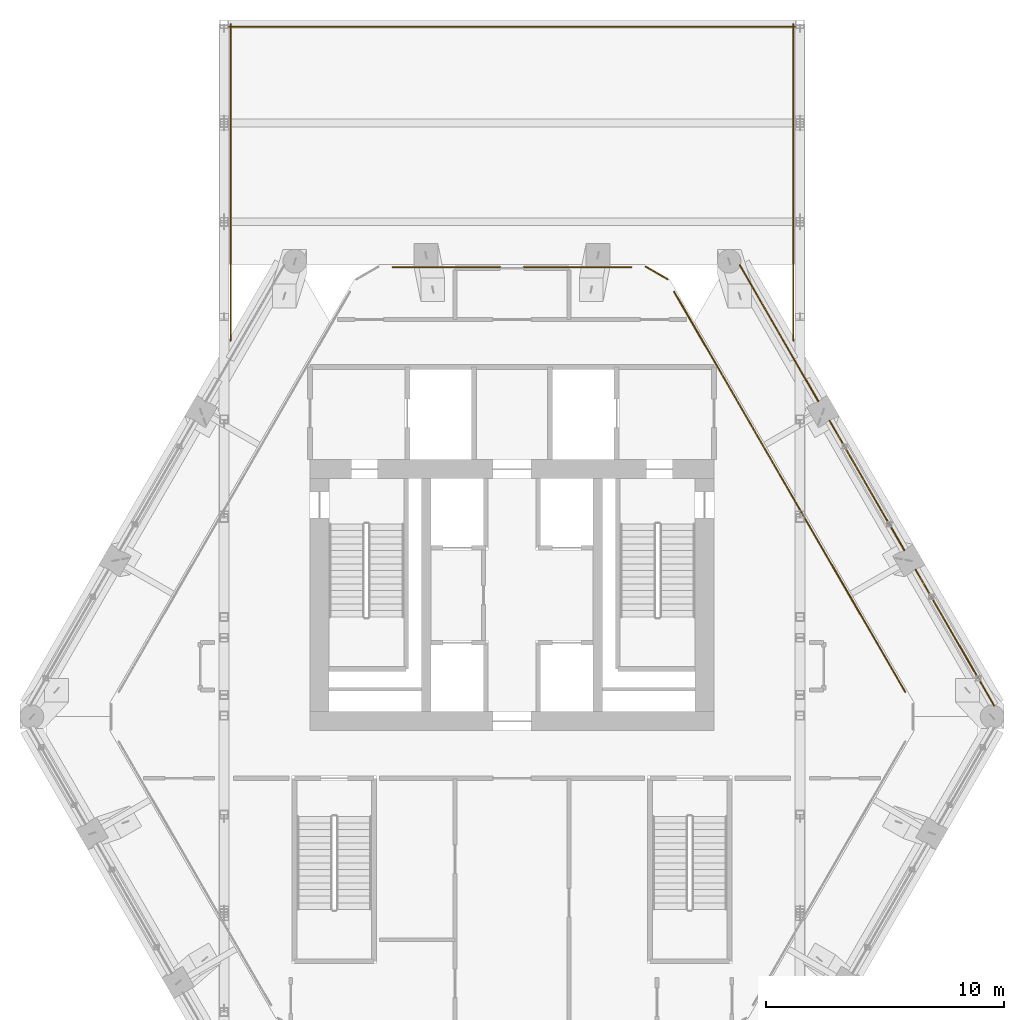
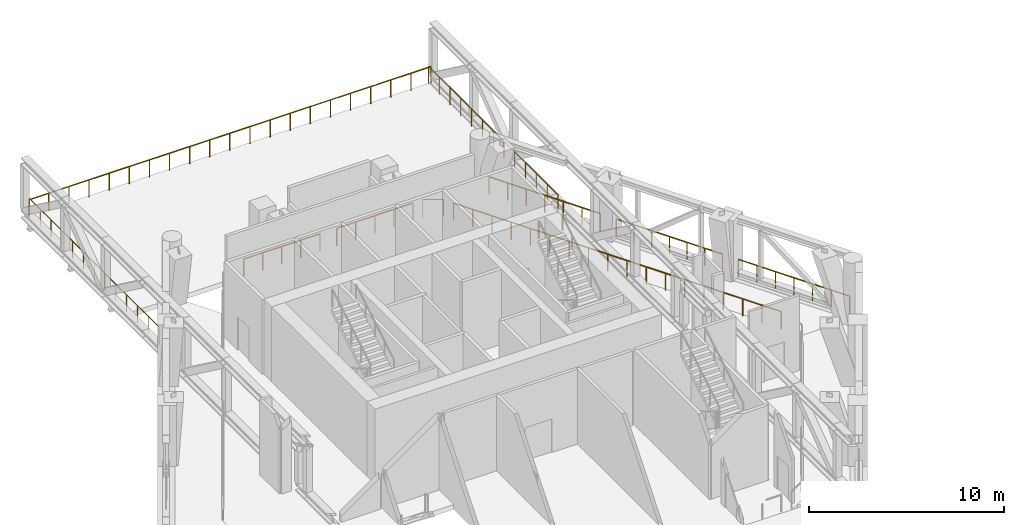
# One storey, part 22 of 22: 10 railings.
"""IFC4 building model written with IfcOpenShell, lengths in metres."""

from ifc_helpers import new_model, si_unit, direction, frame, origin, origin_2d, place, context, subcontext, project, spatial, circle, extrude, material, type_object, element, save


model = new_model("IFC4")

# Units and contexts
model_context = context("Model", 3, precision=1e-05, world=origin(), true_north=direction((0.0, 1.0)))
body_context = subcontext(model_context, "Body", "Model", "MODEL_VIEW")
ifc_project = project(units=[si_unit("LENGTHUNIT", "METRE"), si_unit("AREAUNIT", "SQUARE_METRE"), si_unit("VOLUMEUNIT", "CUBIC_METRE"), si_unit("PLANEANGLEUNIT", "RADIAN"), si_unit("MASSUNIT", "GRAM", prefix="KILO")], contexts=[model_context])

# Site, building, storey
site_placement = place(None, origin())
site = spatial("IfcSite", under=ifc_project, at=site_placement, CompositionType="ELEMENT")
building_placement = place(site_placement, origin())
building = spatial("IfcBuilding", under=site, at=building_placement, Name="Ostrander Bayou Hotel Tower", CompositionType="ELEMENT")
storey_placement = place(building_placement, frame((0.0, 0.0, 209.5)))
storey = spatial("IfcBuildingStorey", under=building, at=storey_placement, Name="L52", CompositionType="ELEMENT", Elevation=209.5)

# Railings
ifc_material = material(Name="Stainless steel and clear glass", Category="steel")
railing_type = type_object("IfcRailingType", Name="GR1 guard 1100 mm", PredefinedType="GUARDRAIL", material=ifc_material)
railing_1_placement = place(storey_placement, frame((20.275146484375, -0.64306640625, 0.0)))
element("IfcRailing", 1, at=railing_1_placement, inside=storey, type_object=railing_type, Name="GR1 L52 NE-1 open band guard", PredefinedType="GUARDRAIL", context=body_context, shape_type="SweptSolid", body=[
    extrude(circle(Radius=0.02490234375, at=origin_2d()), frame((0.0, 0.0, 1.0751953125), z_axis=(-0.500010360262, 0.866019422202, 0.0), x_axis=(-0.866019422202, -0.500010360262, 0.0)), (0.0, 0.0, 1.0), 6.606201171875),
    extrude(circle(Radius=0.02001953125, at=origin_2d()), origin(), (0.0, 0.0, 1.0), 1.050048828125),
    extrude(circle(Radius=0.02001953125, at=origin_2d()), frame((-0.550537109375, 0.95361328125, 0.0)), (0.0, 0.0, 1.0), 1.050048828125),
    extrude(circle(Radius=0.02001953125, at=origin_2d()), frame((-1.10107421875, 1.906982421875, 0.0)), (0.0, 0.0, 1.0), 1.050048828125),
    extrude(circle(Radius=0.02001953125, at=origin_2d()), frame((-1.651611328125, 2.860595703125, 0.0)), (0.0, 0.0, 1.0), 1.050048828125),
    extrude(circle(Radius=0.02001953125, at=origin_2d()), frame((-2.2021484375, 3.814208984375, 0.0)), (0.0, 0.0, 1.0), 1.050048828125),
    extrude(circle(Radius=0.02001953125, at=origin_2d()), frame((-2.752685546875, 4.767578125, 0.0)), (0.0, 0.0, 1.0), 1.050048828125),
    extrude(circle(Radius=0.02001953125, at=origin_2d()), frame((-3.30322265625, 5.72119140625, 0.0)), (0.0, 0.0, 1.0), 1.050048828125),
])
railing_2_placement = place(storey_placement, frame((16.501953125, 5.892333984375, 0.0)))
element("IfcRailing", 2, at=railing_2_placement, inside=storey, type_object=railing_type, Name="GR1 L52 NE-2 open band guard", PredefinedType="GUARDRAIL", context=body_context, shape_type="SweptSolid", body=[
    extrude(circle(Radius=0.02490234375, at=origin_2d()), frame((0.0, 0.0, 1.0751953125), z_axis=(-0.500013351051, 0.866017695414, 0.0), x_axis=(-0.866017695414, -0.500013351051, 0.0)), (0.0, 0.0, 1.0), 6.296142578125),
    extrude(circle(Radius=0.02001953125, at=origin_2d()), origin(), (0.0, 0.0, 1.0), 1.050048828125),
    extrude(circle(Radius=0.02001953125, at=origin_2d()), frame((-0.524658203125, 0.90869140625, 0.0)), (0.0, 0.0, 1.0), 1.050048828125),
    extrude(circle(Radius=0.02001953125, at=origin_2d()), frame((-1.04931640625, 1.817626953125, 0.0)), (0.0, 0.0, 1.0), 1.050048828125),
    extrude(circle(Radius=0.02001953125, at=origin_2d()), frame((-1.57421875, 2.726318359375, 0.0)), (0.0, 0.0, 1.0), 1.050048828125),
    extrude(circle(Radius=0.02001953125, at=origin_2d()), frame((-2.098876953125, 3.635009765625, 0.0)), (0.0, 0.0, 1.0), 1.050048828125),
    extrude(circle(Radius=0.02001953125, at=origin_2d()), frame((-2.62353515625, 4.5439453125, 0.0)), (0.0, 0.0, 1.0), 1.050048828125),
    extrude(circle(Radius=0.02001953125, at=origin_2d()), frame((-3.148193359375, 5.45263671875, 0.0)), (0.0, 0.0, 1.0), 1.050048828125),
])
railing_3_placement = place(storey_placement, frame((12.8837890625, 12.158935546875, 0.0)))
element("IfcRailing", 3, at=railing_3_placement, inside=storey, type_object=railing_type, Name="GR1 L52 NE-3 open band guard", PredefinedType="GUARDRAIL", context=body_context, shape_type="SweptSolid", body=[
    extrude(circle(Radius=0.02490234375, at=origin_2d()), frame((0.0, 0.0, 1.0751953125), z_axis=(-0.499994358189, 0.866028661061, 0.0), x_axis=(-0.866028661061, -0.499994358189, 0.0)), (0.0, 0.0, 1.0), 6.6064453125),
    extrude(circle(Radius=0.02001953125, at=origin_2d()), origin(), (0.0, 0.0, 1.0), 1.050048828125),
    extrude(circle(Radius=0.02001953125, at=origin_2d()), frame((-0.550537109375, 0.95361328125, 0.0)), (0.0, 0.0, 1.0), 1.050048828125),
    extrude(circle(Radius=0.02001953125, at=origin_2d()), frame((-1.10107421875, 1.9072265625, 0.0)), (0.0, 0.0, 1.0), 1.050048828125),
    extrude(circle(Radius=0.02001953125, at=origin_2d()), frame((-1.651611328125, 2.86083984375, 0.0)), (0.0, 0.0, 1.0), 1.050048828125),
    extrude(circle(Radius=0.02001953125, at=origin_2d()), frame((-2.2021484375, 3.814208984375, 0.0)), (0.0, 0.0, 1.0), 1.050048828125),
    extrude(circle(Radius=0.02001953125, at=origin_2d()), frame((-2.752685546875, 4.767822265625, 0.0)), (0.0, 0.0, 1.0), 1.050048828125),
    extrude(circle(Radius=0.02001953125, at=origin_2d()), frame((-3.30322265625, 5.721435546875, 0.0)), (0.0, 0.0, 1.0), 1.050048828125),
])
railing_4_placement = place(storey_placement, frame((6.54248046875, 17.29248046875, 0.0)))
element("IfcRailing", 4, at=railing_4_placement, inside=storey, type_object=railing_type, Name="GR1 L52 corner guard 6", PredefinedType="GUARDRAIL", context=body_context, shape_type="SweptSolid", body=[
    extrude(circle(Radius=0.02490234375, at=origin_2d()), frame((0.0, 0.0, 1.0751953125), z_axis=(-0.866048165231, 0.499960573946, 0.0), x_axis=(-0.499960573946, -0.866048165231, 0.0)), (0.0, 0.0, 1.0), 1.06494140625),
    extrude(circle(Radius=0.02001953125, at=origin_2d()), origin(), (0.0, 0.0, 1.0), 1.050048828125),
    extrude(circle(Radius=0.02001953125, at=origin_2d()), frame((-0.92236328125, 0.532470703125, 0.0)), (0.0, 0.0, 1.0), 1.050048828125),
])
railing_5_placement = place(storey_placement, frame((6.8203125, 16.76123046875, 0.0)))
element("IfcRailing", 5, at=railing_5_placement, inside=storey, type_object=railing_type, Name="GR1 L52 edge guard 2", PredefinedType="GUARDRAIL", context=body_context, shape_type="SweptSolid", body=[
    extrude(circle(Radius=0.02490234375, at=origin_2d()), frame((0.0, 0.0, 1.0751953125), z_axis=(0.500000754816, -0.866024967991, 0.0), x_axis=(0.866024967991, 0.500000754816, 0.0)), (0.0, 0.0, 1.0), 19.43994140625),
    extrude(circle(Radius=0.02001953125, at=origin_2d()), origin(), (0.0, 0.0, 1.0), 1.050048828125),
    extrude(circle(Radius=0.02001953125, at=origin_2d()), frame((0.57177734375, -0.990234375, 0.0)), (0.0, 0.0, 1.0), 1.050048828125),
    extrude(circle(Radius=0.02001953125, at=origin_2d()), frame((1.1435546875, -1.980712890625, 0.0)), (0.0, 0.0, 1.0), 1.050048828125),
    extrude(circle(Radius=0.02001953125, at=origin_2d()), frame((1.71533203125, -2.970947265625, 0.0)), (0.0, 0.0, 1.0), 1.050048828125),
    extrude(circle(Radius=0.02001953125, at=origin_2d()), frame((2.287109375, -3.961181640625, 0.0)), (0.0, 0.0, 1.0), 1.050048828125),
    extrude(circle(Radius=0.02001953125, at=origin_2d()), frame((2.85888671875, -4.95166015625, 0.0)), (0.0, 0.0, 1.0), 1.050048828125),
    extrude(circle(Radius=0.02001953125, at=origin_2d()), frame((3.4306640625, -5.94189453125, 0.0)), (0.0, 0.0, 1.0), 1.050048828125),
    extrude(circle(Radius=0.02001953125, at=origin_2d()), frame((4.00244140625, -6.93212890625, 0.0)), (0.0, 0.0, 1.0), 1.050048828125),
    extrude(circle(Radius=0.02001953125, at=origin_2d()), frame((4.57421875, -7.922607421875, 0.0)), (0.0, 0.0, 1.0), 1.050048828125),
    extrude(circle(Radius=0.02001953125, at=origin_2d()), frame((5.145751953125, -8.912841796875, 0.0)), (0.0, 0.0, 1.0), 1.050048828125),
    extrude(circle(Radius=0.02001953125, at=origin_2d()), frame((5.717529296875, -9.9033203125, 0.0)), (0.0, 0.0, 1.0), 1.050048828125),
    extrude(circle(Radius=0.02001953125, at=origin_2d()), frame((6.289306640625, -10.8935546875, 0.0)), (0.0, 0.0, 1.0), 1.050048828125),
    extrude(circle(Radius=0.02001953125, at=origin_2d()), frame((6.861083984375, -11.8837890625, 0.0)), (0.0, 0.0, 1.0), 1.050048828125),
    extrude(circle(Radius=0.02001953125, at=origin_2d()), frame((7.432861328125, -12.874267578125, 0.0)), (0.0, 0.0, 1.0), 1.050048828125),
    extrude(circle(Radius=0.02001953125, at=origin_2d()), frame((8.004638671875, -13.864501953125, 0.0)), (0.0, 0.0, 1.0), 1.050048828125),
    extrude(circle(Radius=0.02001953125, at=origin_2d()), frame((8.576416015625, -14.854736328125, 0.0)), (0.0, 0.0, 1.0), 1.050048828125),
    extrude(circle(Radius=0.02001953125, at=origin_2d()), frame((9.148193359375, -15.84521484375, 0.0)), (0.0, 0.0, 1.0), 1.050048828125),
    extrude(circle(Radius=0.02001953125, at=origin_2d()), frame((9.719970703125, -16.83544921875, 0.0)), (0.0, 0.0, 1.0), 1.050048828125),
])
railing_6_placement = place(storey_placement, frame((-11.832275390625, 28.01611328125, 0.0)))
element("IfcRailing", 6, at=railing_6_placement, inside=storey, type_object=railing_type, Name="GR1 bar roof guard SB4 4", PredefinedType="GUARDRAIL", context=body_context, shape_type="SweptSolid", body=[
    extrude(circle(Radius=0.02490234375, at=origin_2d()), frame((0.0, 0.0, 1.0751953125), z_axis=(0.0, -1.0, 0.0), x_axis=(1.0, 0.0, 0.0)), (0.0, 0.0, 1.0), 13.308837890625),
    extrude(circle(Radius=0.02001953125, at=origin_2d()), origin(), (0.0, 0.0, 1.0), 1.050048828125),
    extrude(circle(Radius=0.02001953125, at=origin_2d()), frame((0.0, -1.109130859375, 0.0)), (0.0, 0.0, 1.0), 1.050048828125),
    extrude(circle(Radius=0.02001953125, at=origin_2d()), frame((0.0, -2.21826171875, 0.0)), (0.0, 0.0, 1.0), 1.050048828125),
    extrude(circle(Radius=0.02001953125, at=origin_2d()), frame((0.0, -3.3271484375, 0.0)), (0.0, 0.0, 1.0), 1.050048828125),
    extrude(circle(Radius=0.02001953125, at=origin_2d()), frame((0.0, -4.436279296875, 0.0)), (0.0, 0.0, 1.0), 1.050048828125),
    extrude(circle(Radius=0.02001953125, at=origin_2d()), frame((0.0, -5.54541015625, 0.0)), (0.0, 0.0, 1.0), 1.050048828125),
    extrude(circle(Radius=0.02001953125, at=origin_2d()), frame((0.0, -6.654296875, 0.0)), (0.0, 0.0, 1.0), 1.050048828125),
    extrude(circle(Radius=0.02001953125, at=origin_2d()), frame((0.0, -7.763427734375, 0.0)), (0.0, 0.0, 1.0), 1.050048828125),
    extrude(circle(Radius=0.02001953125, at=origin_2d()), frame((0.0, -8.87255859375, 0.0)), (0.0, 0.0, 1.0), 1.050048828125),
    extrude(circle(Radius=0.02001953125, at=origin_2d()), frame((0.0, -9.981689453125, 0.0)), (0.0, 0.0, 1.0), 1.050048828125),
    extrude(circle(Radius=0.02001953125, at=origin_2d()), frame((0.0, -11.0908203125, 0.0)), (0.0, 0.0, 1.0), 1.050048828125),
    extrude(circle(Radius=0.02001953125, at=origin_2d()), frame((0.0, -12.19970703125, 0.0)), (0.0, 0.0, 1.0), 1.050048828125),
    extrude(circle(Radius=0.02001953125, at=origin_2d()), frame((0.0, -13.308837890625, 0.0)), (0.0, 0.0, 1.0), 1.050048828125),
])
railing_7_placement = place(storey_placement, frame((11.832275390625, 14.707275390625, 0.0)))
element("IfcRailing", 7, at=railing_7_placement, inside=storey, type_object=railing_type, Name="GR1 bar roof guard SB4 5", PredefinedType="GUARDRAIL", context=body_context, shape_type="SweptSolid", body=[
    extrude(circle(Radius=0.02490234375, at=origin_2d()), frame((0.0, 0.0, 1.0751953125), z_axis=(0.0, 1.0, 0.0), x_axis=(-1.0, 0.0, 0.0)), (0.0, 0.0, 1.0), 13.308837890625),
    extrude(circle(Radius=0.02001953125, at=origin_2d()), origin(), (0.0, 0.0, 1.0), 1.050048828125),
    extrude(circle(Radius=0.02001953125, at=origin_2d()), frame((0.0, 1.109130859375, 0.0)), (0.0, 0.0, 1.0), 1.050048828125),
    extrude(circle(Radius=0.02001953125, at=origin_2d()), frame((0.0, 2.21826171875, 0.0)), (0.0, 0.0, 1.0), 1.050048828125),
    extrude(circle(Radius=0.02001953125, at=origin_2d()), frame((0.0, 3.3271484375, 0.0)), (0.0, 0.0, 1.0), 1.050048828125),
    extrude(circle(Radius=0.02001953125, at=origin_2d()), frame((0.0, 4.436279296875, 0.0)), (0.0, 0.0, 1.0), 1.050048828125),
    extrude(circle(Radius=0.02001953125, at=origin_2d()), frame((0.0, 5.54541015625, 0.0)), (0.0, 0.0, 1.0), 1.050048828125),
    extrude(circle(Radius=0.02001953125, at=origin_2d()), frame((0.0, 6.654296875, 0.0)), (0.0, 0.0, 1.0), 1.050048828125),
    extrude(circle(Radius=0.02001953125, at=origin_2d()), frame((0.0, 7.763427734375, 0.0)), (0.0, 0.0, 1.0), 1.050048828125),
    extrude(circle(Radius=0.02001953125, at=origin_2d()), frame((0.0, 8.87255859375, 0.0)), (0.0, 0.0, 1.0), 1.050048828125),
    extrude(circle(Radius=0.02001953125, at=origin_2d()), frame((0.0, 9.981689453125, 0.0)), (0.0, 0.0, 1.0), 1.050048828125),
    extrude(circle(Radius=0.02001953125, at=origin_2d()), frame((0.0, 11.0908203125, 0.0)), (0.0, 0.0, 1.0), 1.050048828125),
    extrude(circle(Radius=0.02001953125, at=origin_2d()), frame((0.0, 12.19970703125, 0.0)), (0.0, 0.0, 1.0), 1.050048828125),
    extrude(circle(Radius=0.02001953125, at=origin_2d()), frame((0.0, 13.308837890625, 0.0)), (0.0, 0.0, 1.0), 1.050048828125),
])
railing_8_placement = place(storey_placement, frame((11.93212890625, 27.916015625, 0.0)))
element("IfcRailing", 8, at=railing_8_placement, inside=storey, type_object=railing_type, Name="GR1 bar roof guard SB4 6", PredefinedType="GUARDRAIL", context=body_context, shape_type="SweptSolid", body=[
    extrude(circle(Radius=0.02490234375, at=origin_2d()), frame((0.0, 0.0, 1.0751953125), z_axis=(-1.0, 0.0, 0.0), x_axis=(0.0, -1.0, 0.0)), (0.0, 0.0, 1.0), 23.8642578125),
    extrude(circle(Radius=0.02001953125, at=origin_2d()), origin(), (0.0, 0.0, 1.0), 1.050048828125),
    extrude(circle(Radius=0.02001953125, at=origin_2d()), frame((-1.193115234375, 0.0, 0.0)), (0.0, 0.0, 1.0), 1.050048828125),
    extrude(circle(Radius=0.02001953125, at=origin_2d()), frame((-2.386474609375, 0.0, 0.0)), (0.0, 0.0, 1.0), 1.050048828125),
    extrude(circle(Radius=0.02001953125, at=origin_2d()), frame((-3.57958984375, 0.0, 0.0)), (0.0, 0.0, 1.0), 1.050048828125),
    extrude(circle(Radius=0.02001953125, at=origin_2d()), frame((-4.77294921875, 0.0, 0.0)), (0.0, 0.0, 1.0), 1.050048828125),
    extrude(circle(Radius=0.02001953125, at=origin_2d()), frame((-5.966064453125, 0.0, 0.0)), (0.0, 0.0, 1.0), 1.050048828125),
    extrude(circle(Radius=0.02001953125, at=origin_2d()), frame((-7.1591796875, 0.0, 0.0)), (0.0, 0.0, 1.0), 1.050048828125),
    extrude(circle(Radius=0.02001953125, at=origin_2d()), frame((-8.3525390625, 0.0, 0.0)), (0.0, 0.0, 1.0), 1.050048828125),
    extrude(circle(Radius=0.02001953125, at=origin_2d()), frame((-9.545654296875, 0.0, 0.0)), (0.0, 0.0, 1.0), 1.050048828125),
    extrude(circle(Radius=0.02001953125, at=origin_2d()), frame((-10.739013671875, 0.0, 0.0)), (0.0, 0.0, 1.0), 1.050048828125),
    extrude(circle(Radius=0.02001953125, at=origin_2d()), frame((-11.93212890625, 0.0, 0.0)), (0.0, 0.0, 1.0), 1.050048828125),
    extrude(circle(Radius=0.02001953125, at=origin_2d()), frame((-13.125244140625, 0.0, 0.0)), (0.0, 0.0, 1.0), 1.050048828125),
    extrude(circle(Radius=0.02001953125, at=origin_2d()), frame((-14.318603515625, 0.0, 0.0)), (0.0, 0.0, 1.0), 1.050048828125),
    extrude(circle(Radius=0.02001953125, at=origin_2d()), frame((-15.51171875, 0.0, 0.0)), (0.0, 0.0, 1.0), 1.050048828125),
    extrude(circle(Radius=0.02001953125, at=origin_2d()), frame((-16.705078125, 0.0, 0.0)), (0.0, 0.0, 1.0), 1.050048828125),
    extrude(circle(Radius=0.02001953125, at=origin_2d()), frame((-17.898193359375, 0.0, 0.0)), (0.0, 0.0, 1.0), 1.050048828125),
    extrude(circle(Radius=0.02001953125, at=origin_2d()), frame((-19.09130859375, 0.0, 0.0)), (0.0, 0.0, 1.0), 1.050048828125),
    extrude(circle(Radius=0.02001953125, at=origin_2d()), frame((-20.28466796875, 0.0, 0.0)), (0.0, 0.0, 1.0), 1.050048828125),
    extrude(circle(Radius=0.02001953125, at=origin_2d()), frame((-21.477783203125, 0.0, 0.0)), (0.0, 0.0, 1.0), 1.050048828125),
    extrude(circle(Radius=0.02001953125, at=origin_2d()), frame((-22.671142578125, 0.0, 0.0)), (0.0, 0.0, 1.0), 1.050048828125),
    extrude(circle(Radius=0.02001953125, at=origin_2d()), frame((-23.8642578125, 0.0, 0.0)), (0.0, 0.0, 1.0), 1.050048828125),
])
for number, where, name in (
    (9, (-5.021240234375, 17.800048828125, 0.0), "GR1 L52 edge guard 1"),
    (10, (0.5, 17.800048828125, 0.0), "GR1 L52 edge guard 1"),
):
    element("IfcRailing", number, at=place(storey_placement, frame(where)), inside=storey, type_object=railing_type, Name=name, PredefinedType="GUARDRAIL", context=body_context, shape_type="SweptSolid", body=[
        extrude(circle(Radius=0.02490234375, at=origin_2d()), frame((0.0, 0.0, 1.0751953125), z_axis=(1.0, 0.0, 0.0), x_axis=(0.0, 1.0, 0.0)), (0.0, 0.0, 1.0), 4.521240234375),
        extrude(circle(Radius=0.02001953125, at=origin_2d()), origin(), (0.0, 0.0, 1.0), 1.050048828125),
        extrude(circle(Radius=0.02001953125, at=origin_2d()), frame((1.13037109375, 0.0, 0.0)), (0.0, 0.0, 1.0), 1.050048828125),
        extrude(circle(Radius=0.02001953125, at=origin_2d()), frame((2.2607421875, 0.0, 0.0)), (0.0, 0.0, 1.0), 1.050048828125),
        extrude(circle(Radius=0.02001953125, at=origin_2d()), frame((3.390869140625, 0.0, 0.0)), (0.0, 0.0, 1.0), 1.050048828125),
        extrude(circle(Radius=0.02001953125, at=origin_2d()), frame((4.521240234375, 0.0, 0.0)), (0.0, 0.0, 1.0), 1.050048828125),
    ])

save(model, "model.ifc")
